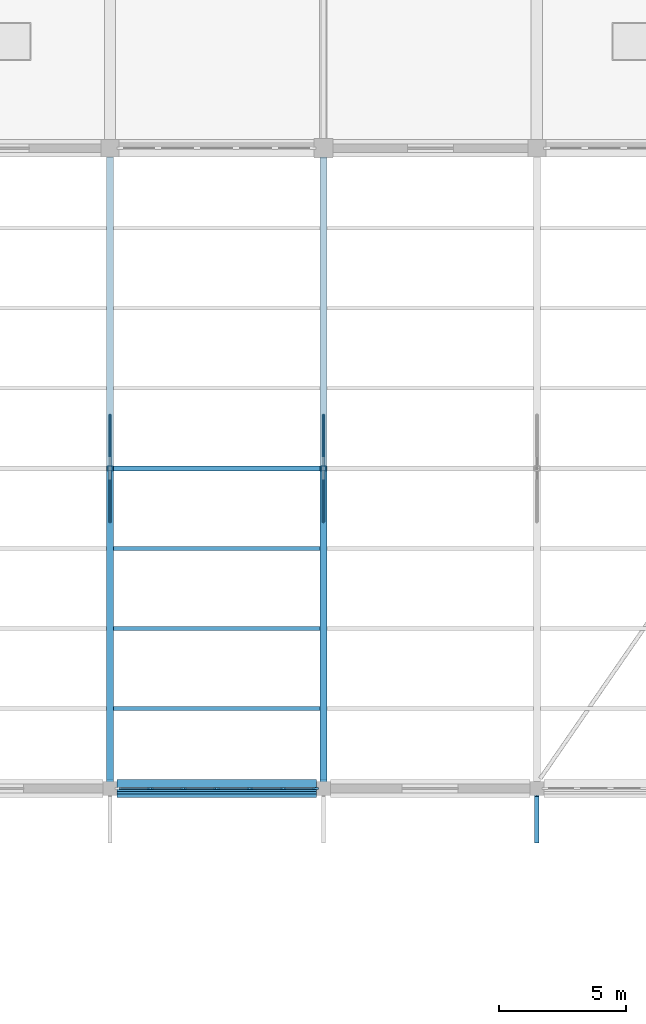
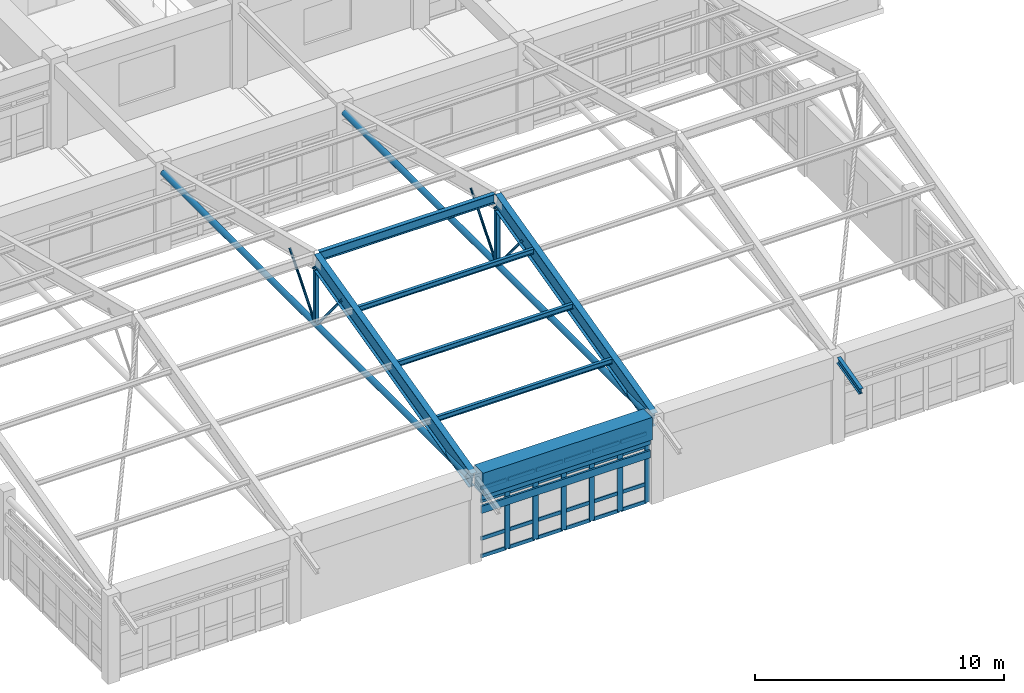
# One storey, part 12 of 99: 43 members, 5 beams, 1 element without a shape of its own.
"""IFC4 building model written with IfcOpenShell, lengths in metres."""

from ifc_helpers import new_model, si_unit, direction, frame, origin, origin_2d, place, context, subcontext, project, spatial, rectangle, hollow_rectangle, hollow_circle, i_section, extrude, material, layer, layer_set, material_profile, profile_set, type_object, element, aggregate, save


model = new_model("IFC4")

# Units and contexts
model_context = context("Model", 3, precision=1e-05, world=origin(), true_north=direction((0.0, 1.0)))
body_context = subcontext(model_context, "Body", "Model", "MODEL_VIEW")
ifc_project = project(units=[si_unit("LENGTHUNIT", "METRE"), si_unit("AREAUNIT", "SQUARE_METRE"), si_unit("VOLUMEUNIT", "CUBIC_METRE"), si_unit("PLANEANGLEUNIT", "RADIAN"), si_unit("MASSUNIT", "GRAM", prefix="KILO")], contexts=[model_context])

# Site, building, storey
site_placement = place(None, origin())
site = spatial("IfcSite", under=ifc_project, at=site_placement, CompositionType="ELEMENT")
building_placement = place(site_placement, origin())
building = spatial("IfcBuilding", under=site, at=building_placement, Name="Porcellanite Civic Hall", CompositionType="ELEMENT")
storey_placement = place(building_placement, frame((0.0, 0.0, 5.760009765625)))
storey = spatial("IfcBuildingStorey", under=building, at=storey_placement, Name="L01", CompositionType="ELEMENT", Elevation=5.760009765625)

# Beam
ifc_material_1 = material(Name="Steel Grade 350", Category="steel")
ifc_material_profile_1 = material_profile(ifc_material_1, i_section(OverallWidth=0.166015625, OverallDepth=0.306884765625, WebThickness=0.006591796875, FlangeThickness=0.01171875, FilletRadius=0.011474609375, at=origin_2d()), Name="310UB46.2")
ifc_profile_set_1 = profile_set([ifc_material_profile_1], Name="Steel Grade 350")
beam_type_1 = type_object("IfcBeamType", Name="BM-EV1", PredefinedType="BEAM", material=ifc_profile_set_1)
beam_1_placement = place(storey_placement, frame((100.800048828125, 16.525390625, 4.0859375), z_axis=(0.0, -0.970302594384, -0.241894347456), x_axis=(1.0, 0.0, 0.0)))
element("IfcBeam", 1, at=beam_1_placement, inside=storey, type_object=beam_type_1, Name="Public Hall storm eave beam 12", PredefinedType="BEAM", context=body_context, shape_type="SweptSolid", body=[
    extrude(i_section(OverallWidth=0.166015625, OverallDepth=0.306884765625, WebThickness=0.006591796875, FlangeThickness=0.01171875, FilletRadius=0.011474609375, at=origin_2d()), origin(), (0.0, 0.0, 1.0), 1.88134765625),
])

# Members
ifc_material_2 = material(Name="Steel C350L0", Category="steel")
ifc_material_profile_2 = material_profile(ifc_material_2, hollow_circle(Radius=0.05712890625, WallThickness=0.006103515625, at=origin_2d()), Name="114.3x6.0CHS")
ifc_profile_set_2 = profile_set([ifc_material_profile_2], Name="Steel C350L0")
member_type_1 = type_object("IfcMemberType", Name="BRC-114CHS", PredefinedType="BRACE", material=ifc_profile_set_2)
for number, where, z_axis, x_axis, name in (
    (2, (84.0, 29.280029296875, 3.974853515625), (0.0, -0.638285821995, 0.769799460535), (1.0, 0.0, 0.0), "Public Hall south web 10"),
    (3, (84.0, 29.52001953125, 3.974853515625), (0.0, 0.638285821995, 0.769799460535), (-1.0, 0.0, 0.0), "Public Hall north web 10"),
    (4, (92.39990234375, 29.280029296875, 3.974853515625), (0.0, -0.638285821995, 0.769799460535), (1.0, 0.0, 0.0), "Public Hall south web 11"),
    (5, (92.39990234375, 29.52001953125, 3.974853515625), (0.0, 0.638285821995, 0.769799460535), (-1.0, 0.0, 0.0), "Public Hall north web 11"),
):
    element("IfcMember", number, at=place(storey_placement, frame(where, z_axis=z_axis, x_axis=x_axis)), inside=storey, type_object=member_type_1, Name=name, PredefinedType="BRACE", context=body_context, shape_type="SweptSolid", body=[
        extrude(hollow_circle(Radius=0.05712890625, WallThickness=0.006103515625, at=origin_2d()), origin(), (0.0, 0.0, 1.0), 3.10205078125),
    ])

# Curtain wall, members
ifc_material_3 = material(Name="Anodised aluminium and solar laminated glass", Category="aluminium")
ifc_layer = layer(ifc_material_3, 0.179931640625)
ifc_layer_set = layer_set([ifc_layer], Name="Anodised aluminium and solar laminated glass")
curtain_wall_type = type_object("IfcCurtainWallType", Name="CW-SYS01", PredefinedType="NOTDEFINED", material=ifc_layer_set)
curtain_wall_placement = place(storey_placement, origin())
curtain_wall = element("IfcCurtainWall", 6, at=curtain_wall_placement, inside=storey, type_object=curtain_wall_type, Name="Curtain wall CW-095", PredefinedType="NOTDEFINED")
ifc_material_4 = material(Name="Anodised aluminium 6063-T6", Category="aluminium")
ifc_material_profile_3 = material_profile(ifc_material_4, rectangle(XDim=0.080078125, YDim=0.239990234375, at=origin_2d()), Name="AL-80x240")
ifc_profile_set_3 = profile_set([ifc_material_profile_3], Name="Anodised aluminium 6063-T6")
member_type_2 = type_object("IfcMemberType", Name="CWM-01", PredefinedType="MULLION", material=ifc_profile_set_3)
member_1_placement = place(storey_placement, frame((92.083984375, 16.800048828125, 0.0), z_axis=(0.0, 0.0, 1.0), x_axis=(0.0, -1.0, 0.0)))
member_1 = element("IfcMember", 7, at=member_1_placement, type_object=member_type_2, Name="CW-095 mullion 1", PredefinedType="MULLION", context=body_context, shape_type="SweptSolid", body=[
    extrude(rectangle(XDim=0.080078125, YDim=0.239990234375, at=origin_2d()), origin(), (0.0, 0.0, 1.0), 3.39990234375),
])
member_2_placement = place(storey_placement, frame((90.81591796875, 16.800048828125, 0.0), z_axis=(0.0, 0.0, 1.0), x_axis=(0.0, -1.0, 0.0)))
member_2 = element("IfcMember", 8, at=member_2_placement, type_object=member_type_2, Name="CW-095 mullion 2", PredefinedType="MULLION", context=body_context, shape_type="SweptSolid", body=[
    extrude(rectangle(XDim=0.080078125, YDim=0.239990234375, at=origin_2d()), origin(), (0.0, 0.0, 1.0), 3.39990234375),
])
member_3_placement = place(storey_placement, frame((89.508056640625, 16.800048828125, 0.0), z_axis=(0.0, 0.0, 1.0), x_axis=(0.0, -1.0, 0.0)))
member_3 = element("IfcMember", 9, at=member_3_placement, type_object=member_type_2, Name="CW-095 mullion 3", PredefinedType="MULLION", context=body_context, shape_type="SweptSolid", body=[
    extrude(rectangle(XDim=0.080078125, YDim=0.239990234375, at=origin_2d()), origin(), (0.0, 0.0, 1.0), 3.39990234375),
])
member_4_placement = place(storey_placement, frame((88.199951171875, 16.800048828125, 0.0), z_axis=(0.0, 0.0, 1.0), x_axis=(0.0, -1.0, 0.0)))
member_4 = element("IfcMember", 10, at=member_4_placement, type_object=member_type_2, Name="CW-095 mullion 4", PredefinedType="MULLION", context=body_context, shape_type="SweptSolid", body=[
    extrude(rectangle(XDim=0.080078125, YDim=0.239990234375, at=origin_2d()), origin(), (0.0, 0.0, 1.0), 3.39990234375),
])
member_5_placement = place(storey_placement, frame((86.89208984375, 16.800048828125, 0.0), z_axis=(0.0, 0.0, 1.0), x_axis=(0.0, -1.0, 0.0)))
member_5 = element("IfcMember", 11, at=member_5_placement, type_object=member_type_2, Name="CW-095 mullion 5", PredefinedType="MULLION", context=body_context, shape_type="SweptSolid", body=[
    extrude(rectangle(XDim=0.080078125, YDim=0.239990234375, at=origin_2d()), origin(), (0.0, 0.0, 1.0), 3.39990234375),
])
member_6_placement = place(storey_placement, frame((85.583984375, 16.800048828125, 0.0), z_axis=(0.0, 0.0, 1.0), x_axis=(0.0, -1.0, 0.0)))
member_6 = element("IfcMember", 12, at=member_6_placement, type_object=member_type_2, Name="CW-095 mullion 6", PredefinedType="MULLION", context=body_context, shape_type="SweptSolid", body=[
    extrude(rectangle(XDim=0.080078125, YDim=0.239990234375, at=origin_2d()), origin(), (0.0, 0.0, 1.0), 3.39990234375),
])
ifc_material_5 = material(Name="Anodised aluminium 6063-T6", Category="aluminium")
ifc_material_profile_4 = material_profile(ifc_material_5, rectangle(XDim=0.070068359375, YDim=0.175048828125, at=origin_2d()), Name="AL-70x175")
ifc_profile_set_4 = profile_set([ifc_material_profile_4], Name="Anodised aluminium 6063-T6")
member_type_3 = type_object("IfcMemberType", Name="CWT-01", PredefinedType="USERDEFINED", material=ifc_profile_set_4)
member_7_placement = place(storey_placement, frame((92.0439453125, 16.800048828125, 0.034912109375), z_axis=(-1.0, 0.0, 0.0), x_axis=(0.0, -1.0, 0.0)))
member_7 = element("IfcMember", 13, at=member_7_placement, type_object=member_type_3, Name="CW-095 transom 1.1", ObjectType="TRANSOM", PredefinedType="USERDEFINED", context=body_context, shape_type="SweptSolid", body=[
    extrude(rectangle(XDim=0.070068359375, YDim=0.175048828125, at=origin_2d()), origin(), (0.0, 0.0, 1.0), 1.18798828125),
])
member_8_placement = place(storey_placement, frame((92.0439453125, 16.800048828125, 0.89990234375), z_axis=(-1.0, 0.0, 0.0), x_axis=(0.0, -1.0, 0.0)))
member_8 = element("IfcMember", 14, at=member_8_placement, type_object=member_type_3, Name="CW-095 transom 1.2", ObjectType="TRANSOM", PredefinedType="USERDEFINED", context=body_context, shape_type="SweptSolid", body=[
    extrude(rectangle(XDim=0.070068359375, YDim=0.175048828125, at=origin_2d()), origin(), (0.0, 0.0, 1.0), 1.18798828125),
])
member_9_placement = place(storey_placement, frame((92.0439453125, 16.800048828125, 2.75), z_axis=(-1.0, 0.0, 0.0), x_axis=(0.0, -1.0, 0.0)))
member_9 = element("IfcMember", 15, at=member_9_placement, type_object=member_type_3, Name="CW-095 transom 1.3", ObjectType="TRANSOM", PredefinedType="USERDEFINED", context=body_context, shape_type="SweptSolid", body=[
    extrude(rectangle(XDim=0.070068359375, YDim=0.175048828125, at=origin_2d()), origin(), (0.0, 0.0, 1.0), 1.18798828125),
])
member_10_placement = place(storey_placement, frame((92.0439453125, 16.800048828125, 3.364990234375), z_axis=(-1.0, 0.0, 0.0), x_axis=(0.0, -1.0, 0.0)))
member_10 = element("IfcMember", 16, at=member_10_placement, type_object=member_type_3, Name="CW-095 transom 1.4", ObjectType="TRANSOM", PredefinedType="USERDEFINED", context=body_context, shape_type="SweptSolid", body=[
    extrude(rectangle(XDim=0.070068359375, YDim=0.175048828125, at=origin_2d()), origin(), (0.0, 0.0, 1.0), 1.18798828125),
])
member_11_placement = place(storey_placement, frame((90.77587890625, 16.800048828125, 0.034912109375), z_axis=(-1.0, 0.0, 0.0), x_axis=(0.0, -1.0, 0.0)))
member_11 = element("IfcMember", 17, at=member_11_placement, type_object=member_type_3, Name="CW-095 transom 2.1", ObjectType="TRANSOM", PredefinedType="USERDEFINED", context=body_context, shape_type="SweptSolid", body=[
    extrude(rectangle(XDim=0.070068359375, YDim=0.175048828125, at=origin_2d()), origin(), (0.0, 0.0, 1.0), 1.227783203125),
])
member_12_placement = place(storey_placement, frame((90.77587890625, 16.800048828125, 0.89990234375), z_axis=(-1.0, 0.0, 0.0), x_axis=(0.0, -1.0, 0.0)))
member_12 = element("IfcMember", 18, at=member_12_placement, type_object=member_type_3, Name="CW-095 transom 2.2", ObjectType="TRANSOM", PredefinedType="USERDEFINED", context=body_context, shape_type="SweptSolid", body=[
    extrude(rectangle(XDim=0.070068359375, YDim=0.175048828125, at=origin_2d()), origin(), (0.0, 0.0, 1.0), 1.227783203125),
])
member_13_placement = place(storey_placement, frame((90.77587890625, 16.800048828125, 2.75), z_axis=(-1.0, 0.0, 0.0), x_axis=(0.0, -1.0, 0.0)))
member_13 = element("IfcMember", 19, at=member_13_placement, type_object=member_type_3, Name="CW-095 transom 2.3", ObjectType="TRANSOM", PredefinedType="USERDEFINED", context=body_context, shape_type="SweptSolid", body=[
    extrude(rectangle(XDim=0.070068359375, YDim=0.175048828125, at=origin_2d()), origin(), (0.0, 0.0, 1.0), 1.227783203125),
])
member_14_placement = place(storey_placement, frame((90.77587890625, 16.800048828125, 3.364990234375), z_axis=(-1.0, 0.0, 0.0), x_axis=(0.0, -1.0, 0.0)))
member_14 = element("IfcMember", 20, at=member_14_placement, type_object=member_type_3, Name="CW-095 transom 2.4", ObjectType="TRANSOM", PredefinedType="USERDEFINED", context=body_context, shape_type="SweptSolid", body=[
    extrude(rectangle(XDim=0.070068359375, YDim=0.175048828125, at=origin_2d()), origin(), (0.0, 0.0, 1.0), 1.227783203125),
])
member_15_placement = place(storey_placement, frame((89.468017578125, 16.800048828125, 0.034912109375), z_axis=(-1.0, 0.0, 0.0), x_axis=(0.0, -1.0, 0.0)))
member_15 = element("IfcMember", 21, at=member_15_placement, type_object=member_type_3, Name="CW-095 transom 3.1", ObjectType="TRANSOM", PredefinedType="USERDEFINED", context=body_context, shape_type="SweptSolid", body=[
    extrude(rectangle(XDim=0.070068359375, YDim=0.175048828125, at=origin_2d()), origin(), (0.0, 0.0, 1.0), 1.22802734375),
])
member_16_placement = place(storey_placement, frame((89.468017578125, 16.800048828125, 0.89990234375), z_axis=(-1.0, 0.0, 0.0), x_axis=(0.0, -1.0, 0.0)))
member_16 = element("IfcMember", 22, at=member_16_placement, type_object=member_type_3, Name="CW-095 transom 3.2", ObjectType="TRANSOM", PredefinedType="USERDEFINED", context=body_context, shape_type="SweptSolid", body=[
    extrude(rectangle(XDim=0.070068359375, YDim=0.175048828125, at=origin_2d()), origin(), (0.0, 0.0, 1.0), 1.22802734375),
])
member_17_placement = place(storey_placement, frame((89.468017578125, 16.800048828125, 2.75), z_axis=(-1.0, 0.0, 0.0), x_axis=(0.0, -1.0, 0.0)))
member_17 = element("IfcMember", 23, at=member_17_placement, type_object=member_type_3, Name="CW-095 transom 3.3", ObjectType="TRANSOM", PredefinedType="USERDEFINED", context=body_context, shape_type="SweptSolid", body=[
    extrude(rectangle(XDim=0.070068359375, YDim=0.175048828125, at=origin_2d()), origin(), (0.0, 0.0, 1.0), 1.22802734375),
])
member_18_placement = place(storey_placement, frame((89.468017578125, 16.800048828125, 3.364990234375), z_axis=(-1.0, 0.0, 0.0), x_axis=(0.0, -1.0, 0.0)))
member_18 = element("IfcMember", 24, at=member_18_placement, type_object=member_type_3, Name="CW-095 transom 3.4", ObjectType="TRANSOM", PredefinedType="USERDEFINED", context=body_context, shape_type="SweptSolid", body=[
    extrude(rectangle(XDim=0.070068359375, YDim=0.175048828125, at=origin_2d()), origin(), (0.0, 0.0, 1.0), 1.22802734375),
])
member_19_placement = place(storey_placement, frame((88.159912109375, 16.800048828125, 0.034912109375), z_axis=(-1.0, 0.0, 0.0), x_axis=(0.0, -1.0, 0.0)))
member_19 = element("IfcMember", 25, at=member_19_placement, type_object=member_type_3, Name="CW-095 transom 4.1", ObjectType="TRANSOM", PredefinedType="USERDEFINED", context=body_context, shape_type="SweptSolid", body=[
    extrude(rectangle(XDim=0.070068359375, YDim=0.175048828125, at=origin_2d()), origin(), (0.0, 0.0, 1.0), 1.22802734375),
])
member_20_placement = place(storey_placement, frame((88.159912109375, 16.800048828125, 0.89990234375), z_axis=(-1.0, 0.0, 0.0), x_axis=(0.0, -1.0, 0.0)))
member_20 = element("IfcMember", 26, at=member_20_placement, type_object=member_type_3, Name="CW-095 transom 4.2", ObjectType="TRANSOM", PredefinedType="USERDEFINED", context=body_context, shape_type="SweptSolid", body=[
    extrude(rectangle(XDim=0.070068359375, YDim=0.175048828125, at=origin_2d()), origin(), (0.0, 0.0, 1.0), 1.22802734375),
])
member_21_placement = place(storey_placement, frame((88.159912109375, 16.800048828125, 2.75), z_axis=(-1.0, 0.0, 0.0), x_axis=(0.0, -1.0, 0.0)))
member_21 = element("IfcMember", 27, at=member_21_placement, type_object=member_type_3, Name="CW-095 transom 4.3", ObjectType="TRANSOM", PredefinedType="USERDEFINED", context=body_context, shape_type="SweptSolid", body=[
    extrude(rectangle(XDim=0.070068359375, YDim=0.175048828125, at=origin_2d()), origin(), (0.0, 0.0, 1.0), 1.22802734375),
])
member_22_placement = place(storey_placement, frame((88.159912109375, 16.800048828125, 3.364990234375), z_axis=(-1.0, 0.0, 0.0), x_axis=(0.0, -1.0, 0.0)))
member_22 = element("IfcMember", 28, at=member_22_placement, type_object=member_type_3, Name="CW-095 transom 4.4", ObjectType="TRANSOM", PredefinedType="USERDEFINED", context=body_context, shape_type="SweptSolid", body=[
    extrude(rectangle(XDim=0.070068359375, YDim=0.175048828125, at=origin_2d()), origin(), (0.0, 0.0, 1.0), 1.22802734375),
])
member_23_placement = place(storey_placement, frame((86.85205078125, 16.800048828125, 0.034912109375), z_axis=(-1.0, 0.0, 0.0), x_axis=(0.0, -1.0, 0.0)))
member_23 = element("IfcMember", 29, at=member_23_placement, type_object=member_type_3, Name="CW-095 transom 5.1", ObjectType="TRANSOM", PredefinedType="USERDEFINED", context=body_context, shape_type="SweptSolid", body=[
    extrude(rectangle(XDim=0.070068359375, YDim=0.175048828125, at=origin_2d()), origin(), (0.0, 0.0, 1.0), 1.22802734375),
])
member_24_placement = place(storey_placement, frame((86.85205078125, 16.800048828125, 0.89990234375), z_axis=(-1.0, 0.0, 0.0), x_axis=(0.0, -1.0, 0.0)))
member_24 = element("IfcMember", 30, at=member_24_placement, type_object=member_type_3, Name="CW-095 transom 5.2", ObjectType="TRANSOM", PredefinedType="USERDEFINED", context=body_context, shape_type="SweptSolid", body=[
    extrude(rectangle(XDim=0.070068359375, YDim=0.175048828125, at=origin_2d()), origin(), (0.0, 0.0, 1.0), 1.22802734375),
])
member_25_placement = place(storey_placement, frame((86.85205078125, 16.800048828125, 2.75), z_axis=(-1.0, 0.0, 0.0), x_axis=(0.0, -1.0, 0.0)))
member_25 = element("IfcMember", 31, at=member_25_placement, type_object=member_type_3, Name="CW-095 transom 5.3", ObjectType="TRANSOM", PredefinedType="USERDEFINED", context=body_context, shape_type="SweptSolid", body=[
    extrude(rectangle(XDim=0.070068359375, YDim=0.175048828125, at=origin_2d()), origin(), (0.0, 0.0, 1.0), 1.22802734375),
])
member_26_placement = place(storey_placement, frame((86.85205078125, 16.800048828125, 3.364990234375), z_axis=(-1.0, 0.0, 0.0), x_axis=(0.0, -1.0, 0.0)))
member_26 = element("IfcMember", 32, at=member_26_placement, type_object=member_type_3, Name="CW-095 transom 5.4", ObjectType="TRANSOM", PredefinedType="USERDEFINED", context=body_context, shape_type="SweptSolid", body=[
    extrude(rectangle(XDim=0.070068359375, YDim=0.175048828125, at=origin_2d()), origin(), (0.0, 0.0, 1.0), 1.22802734375),
])
member_27_placement = place(storey_placement, frame((85.5439453125, 16.800048828125, 0.034912109375), z_axis=(-1.0, 0.0, 0.0), x_axis=(0.0, -1.0, 0.0)))
member_27 = element("IfcMember", 33, at=member_27_placement, type_object=member_type_3, Name="CW-095 transom 6.1", ObjectType="TRANSOM", PredefinedType="USERDEFINED", context=body_context, shape_type="SweptSolid", body=[
    extrude(rectangle(XDim=0.070068359375, YDim=0.175048828125, at=origin_2d()), origin(), (0.0, 0.0, 1.0), 1.18798828125),
])
member_28_placement = place(storey_placement, frame((85.5439453125, 16.800048828125, 0.89990234375), z_axis=(-1.0, 0.0, 0.0), x_axis=(0.0, -1.0, 0.0)))
member_28 = element("IfcMember", 34, at=member_28_placement, type_object=member_type_3, Name="CW-095 transom 6.2", ObjectType="TRANSOM", PredefinedType="USERDEFINED", context=body_context, shape_type="SweptSolid", body=[
    extrude(rectangle(XDim=0.070068359375, YDim=0.175048828125, at=origin_2d()), origin(), (0.0, 0.0, 1.0), 1.18798828125),
])
member_29_placement = place(storey_placement, frame((85.5439453125, 16.800048828125, 2.75), z_axis=(-1.0, 0.0, 0.0), x_axis=(0.0, -1.0, 0.0)))
member_29 = element("IfcMember", 35, at=member_29_placement, type_object=member_type_3, Name="CW-095 transom 6.3", ObjectType="TRANSOM", PredefinedType="USERDEFINED", context=body_context, shape_type="SweptSolid", body=[
    extrude(rectangle(XDim=0.070068359375, YDim=0.175048828125, at=origin_2d()), origin(), (0.0, 0.0, 1.0), 1.18798828125),
])
member_30_placement = place(storey_placement, frame((85.5439453125, 16.800048828125, 3.364990234375), z_axis=(-1.0, 0.0, 0.0), x_axis=(0.0, -1.0, 0.0)))
member_30 = element("IfcMember", 36, at=member_30_placement, type_object=member_type_3, Name="CW-095 transom 6.4", ObjectType="TRANSOM", PredefinedType="USERDEFINED", context=body_context, shape_type="SweptSolid", body=[
    extrude(rectangle(XDim=0.070068359375, YDim=0.175048828125, at=origin_2d()), origin(), (0.0, 0.0, 1.0), 1.18798828125),
])
aggregate(curtain_wall, [member_1, member_2, member_3, member_4, member_5, member_6, member_7, member_8, member_9, member_10, member_11, member_12, member_13, member_14, member_15, member_16, member_17, member_18, member_19, member_20, member_21, member_22, member_23, member_24, member_25, member_26, member_27, member_28, member_29, member_30])

# Beam
ifc_material_6 = material(Name="Concrete N50 (50 MPa)", Category="concrete")
ifc_material_profile_5 = material_profile(ifc_material_6, rectangle(XDim=0.699951171875, YDim=1.10009765625, at=origin_2d()), Name="RC-700x1100")
ifc_profile_set_5 = profile_set([ifc_material_profile_5], Name="Concrete N50 (50 MPa)")
beam_type_2 = type_object("IfcBeamType", Name="EB-CH2", PredefinedType="BEAM", material=ifc_profile_set_5)
beam_2_placement = place(storey_placement, frame((84.2744140625, 16.800048828125, 3.780029296875), z_axis=(1.0, 0.0, 0.0), x_axis=(0.0, 1.0, 0.0)))
element("IfcBeam", 37, at=beam_2_placement, inside=storey, type_object=beam_type_2, Name="Public Hall edge beam 2 10", PredefinedType="BEAM", context=body_context, shape_type="SweptSolid", body=[
    extrude(rectangle(XDim=0.699951171875, YDim=1.10009765625, at=origin_2d()), origin(), (0.0, 0.0, 1.0), 7.85107421875),
])

# Members
ifc_material_7 = material(Name="Fluoropolymer bauxite-red aluminium 6063-T6", Category="aluminium")
ifc_material_profile_6 = material_profile(ifc_material_7, rectangle(XDim=0.090087890625, YDim=0.360107421875, at=origin_2d()), Name="AL-90x360")
ifc_profile_set_6 = profile_set([ifc_material_profile_6], Name="Fluoropolymer bauxite-red aluminium 6063-T6")
member_type_4 = type_object("IfcMemberType", Name="LV-BLD01", PredefinedType="USERDEFINED", material=ifc_profile_set_6)
for number, where, z_axis, x_axis, name in (
    (38, (92.12548828125, 16.633056640625, 3.10009765625), (-1.0, 0.0, 0.0), (0.0, -1.0, 0.0), "Cyclone sunshade louvre L01 S 10-2 1"),
    (39, (92.12548828125, 16.633056640625, 2.449951171875), (-1.0, 0.0, 0.0), (0.0, -1.0, 0.0), "Cyclone sunshade louvre L01 S 10-2 2"),
):
    element("IfcMember", number, at=place(storey_placement, frame(where, z_axis=z_axis, x_axis=x_axis)), inside=storey, type_object=member_type_4, Name=name, ObjectType="LOUVRE BLADE", PredefinedType="USERDEFINED", context=body_context, shape_type="SweptSolid", body=[
        extrude(rectangle(XDim=0.090087890625, YDim=0.360107421875, at=origin_2d()), origin(), (0.0, 0.0, 1.0), 7.85107421875),
    ])
ifc_material_8 = material(Name="Steel Grade 350", Category="steel")
ifc_material_profile_7 = material_profile(ifc_material_8, i_section(OverallWidth=0.14599609375, OverallDepth=0.251953125, WebThickness=0.006103515625, FlangeThickness=0.008544921875, FilletRadius=0.0087890625, at=origin_2d()), Name="250UB31.4")
ifc_profile_set_7 = profile_set([ifc_material_profile_7], Name="Steel Grade 350")
member_type_5 = type_object("IfcMemberType", Name="PUR-250UB31", PredefinedType="PURLIN", material=ifc_profile_set_7)
for number, where, z_axis, x_axis, name in (
    (40, (84.136962890625, 19.949951171875, 4.9501953125), (1.0, 0.0, 0.0), (0.0, 1.0, 0.0), "Public Hall purlin 10 19.9"),
    (41, (84.136962890625, 23.10009765625, 5.735595703125), (1.0, 0.0, 0.0), (0.0, 1.0, 0.0), "Public Hall purlin 10 23.1"),
    (42, (84.136962890625, 26.25, 6.52099609375), (1.0, 0.0, 0.0), (0.0, 1.0, 0.0), "Public Hall purlin 10 26.2"),
):
    element("IfcMember", number, at=place(storey_placement, frame(where, z_axis=z_axis, x_axis=x_axis)), inside=storey, type_object=member_type_5, Name=name, PredefinedType="PURLIN", context=body_context, shape_type="SweptSolid", body=[
        extrude(i_section(OverallWidth=0.14599609375, OverallDepth=0.251953125, WebThickness=0.006103515625, FlangeThickness=0.008544921875, FilletRadius=0.0087890625, at=origin_2d()), origin(), (0.0, 0.0, 1.0), 8.1259765625),
    ])

# Beams
ifc_material_9 = material(Name="Steel Grade 350", Category="steel")
ifc_material_profile_8 = material_profile(ifc_material_9, i_section(OverallWidth=0.19091796875, OverallDepth=0.4599609375, WebThickness=0.010009765625, FlangeThickness=0.01611328125, FilletRadius=0.011474609375, at=origin_2d()), Name="460UB82.1")
ifc_profile_set_8 = profile_set([ifc_material_profile_8], Name="Steel Grade 350")
beam_type_3 = type_object("IfcBeamType", Name="RAF-460UB82", PredefinedType="BEAM", material=ifc_profile_set_8)
beam_3_placement = place(storey_placement, frame((84.136962890625, 29.39990234375, 7.20166015625), z_axis=(1.0, 0.0, 0.0), x_axis=(0.0, 1.0, 0.0)))
element("IfcBeam", 43, at=beam_3_placement, inside=storey, type_object=beam_type_3, Name="Public Hall ridge beam 10", PredefinedType="BEAM", context=body_context, shape_type="SweptSolid", body=[
    extrude(i_section(OverallWidth=0.19091796875, OverallDepth=0.4599609375, WebThickness=0.010009765625, FlangeThickness=0.01611328125, FilletRadius=0.011474609375, at=origin_2d()), origin(), (0.0, 0.0, 1.0), 8.1259765625),
])
ifc_material_10 = material(Name="Steel Grade 350", Category="steel")
ifc_material_profile_9 = material_profile(ifc_material_10, i_section(OverallWidth=0.27490234375, OverallDepth=0.800048828125, WebThickness=0.010009765625, FlangeThickness=0.01611328125, FilletRadius=0.013916015625, at=origin_2d()), Name="800WB146")
ifc_profile_set_9 = profile_set([ifc_material_profile_9], Name="Steel Grade 350")
beam_type_4 = type_object("IfcBeamType", Name="RAF-800WB", PredefinedType="BEAM", material=ifc_profile_set_9)
for number, where, z_axis, x_axis, name in (
    (44, (84.0, 16.800048828125, 3.894775390625), (0.0, 0.970293823695, 0.241929526309), (-1.0, 0.0, 0.0), "Public Hall south rafter 10"),
    (45, (92.39990234375, 16.800048828125, 3.894775390625), (0.0, 0.970293823695, 0.241929526309), (-1.0, 0.0, 0.0), "Public Hall south rafter 11"),
):
    element("IfcBeam", number, at=place(storey_placement, frame(where, z_axis=z_axis, x_axis=x_axis)), inside=storey, type_object=beam_type_4, Name=name, PredefinedType="BEAM", context=body_context, shape_type="SweptSolid", body=[
        extrude(i_section(OverallWidth=0.27490234375, OverallDepth=0.800048828125, WebThickness=0.010009765625, FlangeThickness=0.01611328125, FilletRadius=0.013916015625, at=origin_2d()), origin(), (0.0, 0.0, 1.0), 12.985595703125),
    ])

# Members
ifc_material_11 = material(Name="Steel C350L0", Category="steel")
ifc_material_profile_10 = material_profile(ifc_material_11, hollow_rectangle(XDim=0.199951171875, YDim=0.199951171875, WallThickness=0.009033203125, InnerFilletRadius=0.013427734375, OuterFilletRadius=0.0224609375, at=origin_2d()), Name="200x200x9.0SHS")
ifc_profile_set_10 = profile_set([ifc_material_profile_10], Name="Steel C350L0")
member_type_6 = type_object("IfcMemberType", Name="STR-200SHS", PredefinedType="STRUT", material=ifc_profile_set_10)
for number, where, z_axis, x_axis, name in (
    (46, (84.0, 29.39990234375, 4.034912109375), (0.0, 0.0, 1.0), (1.0, 0.0, 0.0), "Public Hall king post 10"),
    (47, (92.39990234375, 29.39990234375, 4.034912109375), (0.0, 0.0, 1.0), (1.0, 0.0, 0.0), "Public Hall king post 11"),
):
    element("IfcMember", number, at=place(storey_placement, frame(where, z_axis=z_axis, x_axis=x_axis)), inside=storey, type_object=member_type_6, Name=name, PredefinedType="STRUT", context=body_context, shape_type="SweptSolid", body=[
        extrude(hollow_rectangle(XDim=0.199951171875, YDim=0.199951171875, WallThickness=0.009033203125, InnerFilletRadius=0.013427734375, OuterFilletRadius=0.0224609375, at=origin_2d()), origin(), (0.0, 0.0, 1.0), 2.6513671875),
    ])
ifc_material_12 = material(Name="Steel C350L0", Category="steel")
ifc_material_profile_11 = material_profile(ifc_material_12, hollow_circle(Radius=0.136474609375, WallThickness=0.00927734375, at=origin_2d()), Name="273.1x9.3CHS")
ifc_profile_set_11 = profile_set([ifc_material_profile_11], Name="Steel C350L0")
member_type_7 = type_object("IfcMemberType", Name="TIE-273CHS", PredefinedType="CHORD", material=ifc_profile_set_11)
for number, where, z_axis, x_axis, name in (
    (48, (84.0, 17.14990234375, 3.894775390625), (0.0, 1.0, 0.0), (-1.0, 0.0, 0.0), "Public Hall tie chord 10"),
    (49, (92.39990234375, 17.14990234375, 3.894775390625), (0.0, 1.0, 0.0), (-1.0, 0.0, 0.0), "Public Hall tie chord 11"),
):
    element("IfcMember", number, at=place(storey_placement, frame(where, z_axis=z_axis, x_axis=x_axis)), inside=storey, type_object=member_type_7, Name=name, PredefinedType="CHORD", context=body_context, shape_type="SweptSolid", body=[
        extrude(hollow_circle(Radius=0.136474609375, WallThickness=0.00927734375, at=origin_2d()), origin(), (0.0, 0.0, 1.0), 24.5),
    ])

save(model, "model.ifc")
